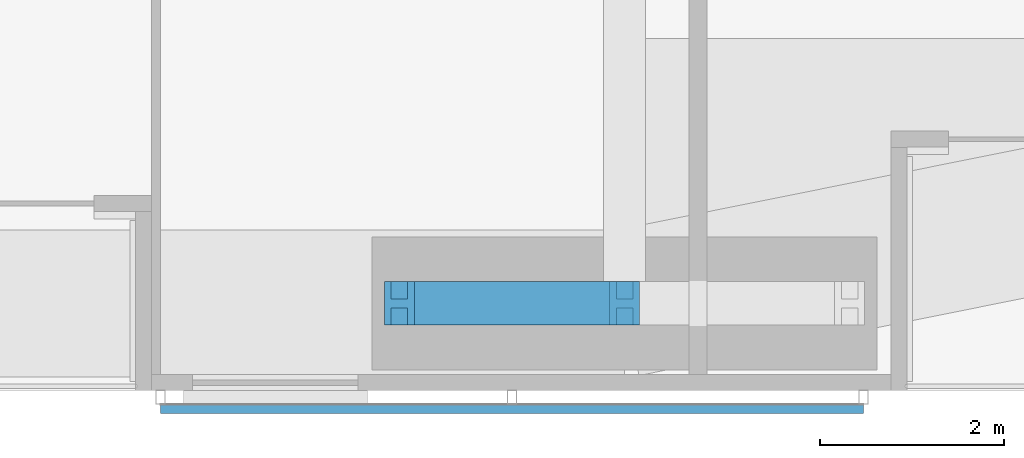
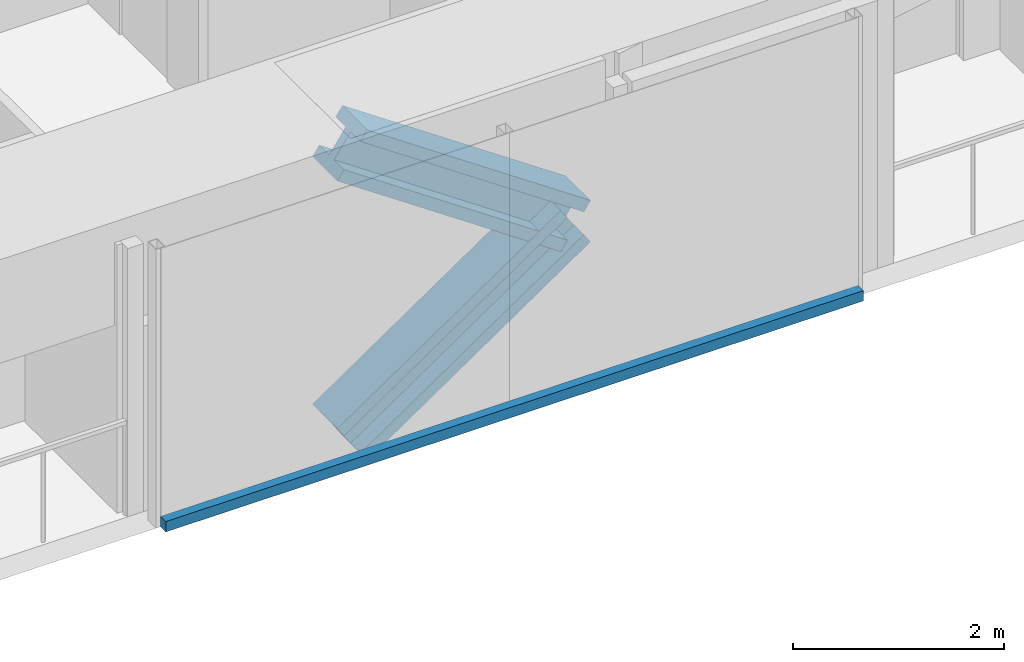
# One storey, part 6 of 24: 3 members, 1 element without a shape of its own.
"""IFC4 building model written with IfcOpenShell, lengths in metres."""

from ifc_helpers import new_model, si_unit, direction, frame, origin, origin_2d, place, context, subcontext, project, spatial, rectangle, i_section, extrude, material, material_profile, profile_set, type_object, element, aggregate, save


model = new_model("IFC4")

# Units and contexts
model_context = context("Model", 3, precision=1e-05, world=origin(), true_north=direction((0.0, 1.0)))
body_context = subcontext(model_context, "Body", "Model", "MODEL_VIEW")
ifc_project = project(units=[si_unit("LENGTHUNIT", "METRE"), si_unit("AREAUNIT", "SQUARE_METRE"), si_unit("VOLUMEUNIT", "CUBIC_METRE"), si_unit("PLANEANGLEUNIT", "RADIAN"), si_unit("MASSUNIT", "GRAM", prefix="KILO")], contexts=[model_context])

# Site, building, storey
site_placement = place(None, origin())
site = spatial("IfcSite", under=ifc_project, at=site_placement, CompositionType="ELEMENT")
building_placement = place(site_placement, origin())
building = spatial("IfcBuilding", under=site, at=building_placement, Name="Jalousie Tower", CompositionType="ELEMENT")
storey_placement = place(building_placement, frame((0.0, 0.0, 61.199951171875)))
storey = spatial("IfcBuildingStorey", under=building, at=storey_placement, Name="L16", CompositionType="ELEMENT", Elevation=61.199951171875)

# Members
ifc_material_1 = material(Name="Steel ASTM A992 Grade 50", Category="steel")
ifc_material_profile_1 = material_profile(ifc_material_1, i_section(OverallWidth=0.472412109375, OverallDepth=0.5791015625, WebThickness=0.094970703125, FlangeThickness=0.1298828125, at=origin_2d()), Name="W14X808")
ifc_profile_set_1 = profile_set([ifc_material_profile_1], Name="Steel ASTM A992 Grade 50")
member_type_1 = type_object("IfcMemberType", Name="PERIMETER BRACE W14X808", PredefinedType="BRACE", material=ifc_profile_set_1)
for number, where, z_axis, x_axis, name in (
    (1, (32.550048828125, 0.949951171875, -0.599853515625), (0.825539243753, 0.0, 0.564344714713), (0.0, 1.0, 0.0), "Perimeter brace 04 L16 part 1"),
    (2, (35.0, 0.949951171875, 1.074951171875), (-0.825500916831, 0.0, 0.564400776321), (0.0, -1.0, 0.0), "Perimeter brace 04 L16 part 4"),
):
    element("IfcMember", number, at=place(storey_placement, frame(where, z_axis=z_axis, x_axis=x_axis)), inside=storey, type_object=member_type_1, Name=name, PredefinedType="BRACE", context=body_context, shape_type="SweptSolid", body=[
        extrude(i_section(OverallWidth=0.472412109375, OverallDepth=0.5791015625, WebThickness=0.094970703125, FlangeThickness=0.1298828125, at=origin_2d()), origin(), (0.0, 0.0, 1.0), 2.9677734375),
    ])

# Curtain wall, member
ifc_material_2 = material(Name="Perforated aluminium sheet", Category="aluminium")
curtain_wall_type = type_object("IfcCurtainWallType", Name="SOLAR SCREEN SS-1", PredefinedType="USERDEFINED", material=ifc_material_2)
curtain_wall_placement = place(storey_placement, origin())
curtain_wall = element("IfcCurtainWall", 3, at=curtain_wall_placement, inside=storey, type_object=curtain_wall_type, Name="Solar screen L16", ObjectType="SOLAR SCREEN SS-1", PredefinedType="USERDEFINED")
ifc_material_3 = material(Name="Extruded aluminium screen rail", Category="aluminium")
ifc_material_profile_2 = material_profile(ifc_material_3, rectangle(XDim=0.1015625, YDim=0.1201171875, at=origin_2d()), Name="RAIL 102x120")
ifc_profile_set_2 = profile_set([ifc_material_profile_2], Name="Extruded aluminium screen rail")
member_type_2 = type_object("IfcMemberType", Name="SOLAR SCREEN SS-1 TRANSOM", PredefinedType="USERDEFINED", material=ifc_profile_set_2)
member_placement = place(storey_placement, frame((29.949951171875, -0.1982421875, -0.06005859375), z_axis=(1.0, 0.0, 0.0), x_axis=(0.0, 1.0, 0.0)))
member = element("IfcMember", 4, at=member_placement, type_object=member_type_2, Name="SS1 rail", ObjectType="TRANSOM", PredefinedType="USERDEFINED", context=body_context, shape_type="SweptSolid", body=[
    extrude(rectangle(XDim=0.1015625, YDim=0.1201171875, at=origin_2d()), origin(), (0.0, 0.0, 1.0), 7.650146484375),
])
aggregate(curtain_wall, [member])

save(model, "model.ifc")
